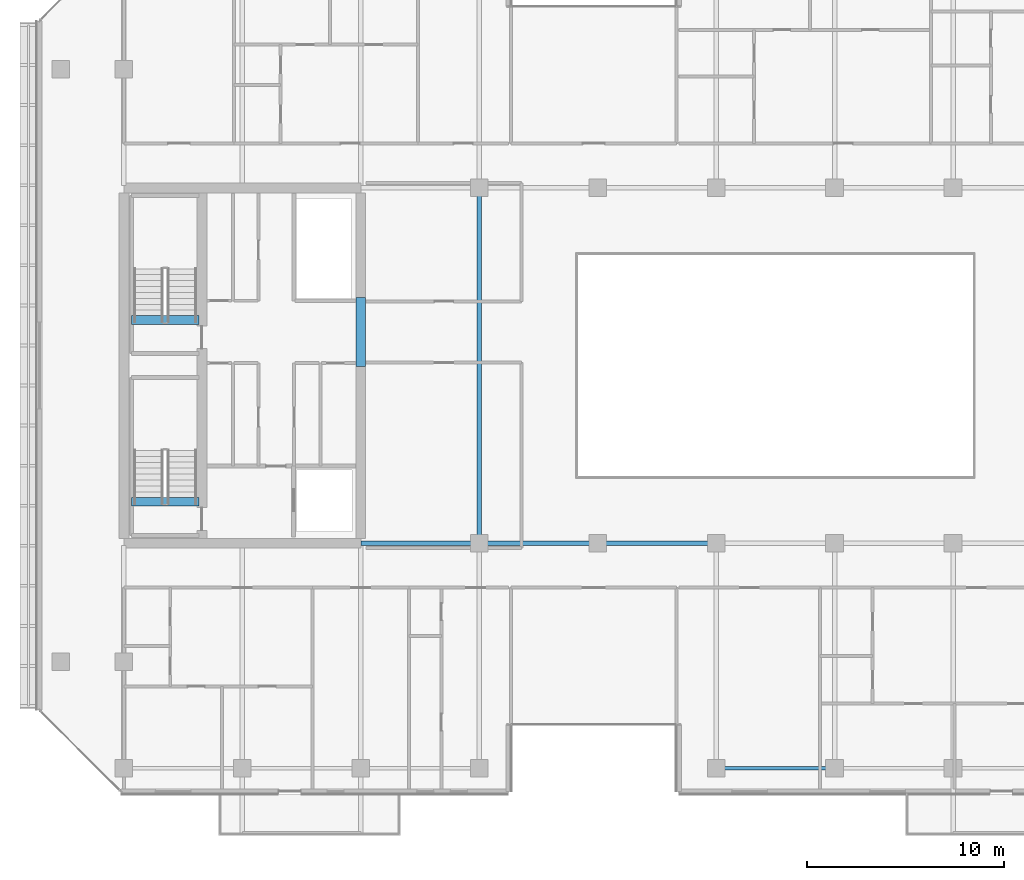
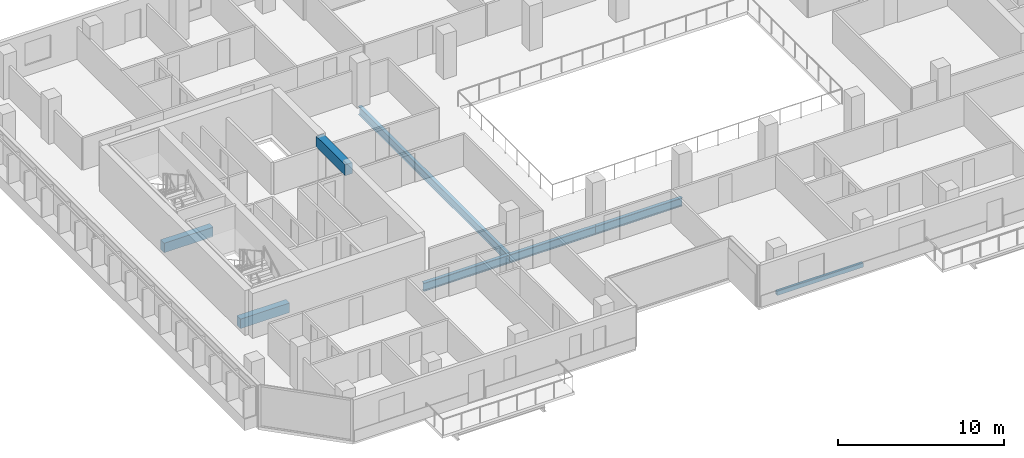
# One storey, part 5 of 29: 8 beams.
"""IFC4 building model written with IfcOpenShell, lengths in metres."""

from ifc_helpers import new_model, si_unit, direction, frame, origin, origin_2d, place, context, subcontext, project, spatial, rectangle, hollow_rectangle, i_section, extrude, material, material_profile, profile_set, type_object, element, save


model = new_model("IFC4")

# Units and contexts
model_context = context("Model", 3, precision=1e-05, world=origin(), true_north=direction((0.0, 1.0)))
body_context = subcontext(model_context, "Body", "Model", "MODEL_VIEW")
ifc_project = project(units=[si_unit("LENGTHUNIT", "METRE"), si_unit("AREAUNIT", "SQUARE_METRE"), si_unit("VOLUMEUNIT", "CUBIC_METRE"), si_unit("PLANEANGLEUNIT", "RADIAN"), si_unit("MASSUNIT", "GRAM", prefix="KILO")], contexts=[model_context])

# Site, building, storey
site_placement = place(None, origin())
site = spatial("IfcSite", under=ifc_project, at=site_placement, CompositionType="ELEMENT")
building_placement = place(site_placement, origin())
building = spatial("IfcBuilding", under=site, at=building_placement, Name="Tanjung Sevakor Pilgrim Tower", CompositionType="ELEMENT")
storey_placement = place(building_placement, frame((0.0, 0.0, 148.5)))
storey = spatial("IfcBuildingStorey", under=building, at=storey_placement, Name="L41", CompositionType="ELEMENT", Elevation=148.5)

# Beams
ifc_material_1 = material(Name="Steel S355J2", Category="steel")
ifc_material_profile_1 = material_profile(ifc_material_1, i_section(OverallWidth=0.230224609375, OverallDepth=0.6171875, WebThickness=0.01318359375, FlangeThickness=0.022216796875, FilletRadius=0.0126953125, at=origin_2d()))
ifc_profile_set_1 = profile_set([ifc_material_profile_1], Name="Steel S355J2")
beam_type_1 = type_object("IfcBeamType", Name="BM-B-G3-UB_610x229x140", PredefinedType="BEAM", material=ifc_profile_set_1)
for number, where, z_axis, x_axis, name in (
    (1, (36.0, 24.60009765625, -0.528564453125), (1.0, 0.0, 0.0), (0.0, 1.0, 0.0), "L41 Primary Floor Girder MAIN Y246-01"),
    (2, (42.0, 24.60009765625, -0.528564453125), (1.0, 0.0, 0.0), (0.0, 1.0, 0.0), "L41 Primary Floor Girder MAIN Y246-02"),
    (3, (48.0, 24.60009765625, -0.528564453125), (1.0, 0.0, 0.0), (0.0, 1.0, 0.0), "L41 Primary Floor Girder MAIN Y246-03"),
):
    element("IfcBeam", number, at=place(storey_placement, frame(where, z_axis=z_axis, x_axis=x_axis)), inside=storey, type_object=beam_type_1, Name=name, PredefinedType="BEAM", context=body_context, shape_type="SweptSolid", body=[
        extrude(i_section(OverallWidth=0.230224609375, OverallDepth=0.6171875, WebThickness=0.01318359375, FlangeThickness=0.022216796875, FilletRadius=0.0126953125, at=origin_2d()), origin(), (0.0, 0.0, 1.0), 6.0),
    ])
ifc_material_2 = material(Name="Steel S355J2", Category="steel")
ifc_material_profile_2 = material_profile(ifc_material_2, i_section(OverallWidth=0.22900390625, OverallDepth=0.6123046875, WebThickness=0.011962890625, FlangeThickness=0.01953125, FilletRadius=0.0126953125, at=origin_2d()))
ifc_profile_set_2 = profile_set([ifc_material_profile_2], Name="Steel S355J2")
beam_type_2 = type_object("IfcBeamType", Name="BM-B-G4-UB_610x229x125", PredefinedType="BEAM", material=ifc_profile_set_2)
beam_1_placement = place(storey_placement, frame((42.0, 24.60009765625, -0.526123046875), z_axis=(0.0, 1.0, 0.0), x_axis=(-1.0, 0.0, 0.0)))
element("IfcBeam", 4, at=beam_1_placement, inside=storey, type_object=beam_type_2, Name="L41 MAIN Girder 004", PredefinedType="BEAM", context=body_context, shape_type="SweptSolid", body=[
    extrude(i_section(OverallWidth=0.22900390625, OverallDepth=0.6123046875, WebThickness=0.011962890625, FlangeThickness=0.01953125, FilletRadius=0.0126953125, at=origin_2d()), origin(), (0.0, 0.0, 1.0), 18.0),
])
ifc_material_3 = material(Name="Concrete C60/75", Category="concrete")
ifc_material_profile_3 = material_profile(ifc_material_3, rectangle(XDim=0.5, YDim=0.800048828125, at=origin_2d()))
ifc_profile_set_3 = profile_set([ifc_material_profile_3], Name="Concrete C60/75")
beam_type_3 = type_object("IfcBeamType", Name="BM-B-LN2-RC-BM_500x800", PredefinedType="LINTEL", material=ifc_profile_set_3)
beam_2_placement = place(storey_placement, frame((36.0, 33.550048828125, 2.679931640625), z_axis=(0.0, 1.0, 0.0), x_axis=(-1.0, 0.0, 0.0)))
element("IfcBeam", 5, at=beam_2_placement, inside=storey, type_object=beam_type_3, Name="L41 W Core Coupling Lintel", PredefinedType="LINTEL", context=body_context, shape_type="SweptSolid", body=[
    extrude(rectangle(XDim=0.5, YDim=0.800048828125, at=origin_2d()), origin(), (0.0, 0.0, 1.0), 3.5),
])
ifc_material_4 = material(Name="Concrete C60/75", Category="concrete")
ifc_material_profile_4 = material_profile(ifc_material_4, rectangle(XDim=0.449951171875, YDim=0.699951171875, at=origin_2d()))
ifc_profile_set_4 = profile_set([ifc_material_profile_4], Name="Concrete C60/75")
beam_type_4 = type_object("IfcBeamType", Name="BM-B-LN3-RC-BM_450x700", PredefinedType="LINTEL", material=ifc_profile_set_4)
for number, where, z_axis, x_axis, name in (
    (6, (24.39990234375, 26.699951171875, -0.35009765625), (1.0, 0.0, 0.0), (0.0, 1.0, 0.0), "L41 TS-W1 Stair Threshold Beam"),
    (7, (24.39990234375, 35.89990234375, -0.35009765625), (1.0, 0.0, 0.0), (0.0, 1.0, 0.0), "L41 TS-W2 Stair Threshold Beam"),
):
    element("IfcBeam", number, at=place(storey_placement, frame(where, z_axis=z_axis, x_axis=x_axis)), inside=storey, type_object=beam_type_4, Name=name, PredefinedType="LINTEL", context=body_context, shape_type="SweptSolid", body=[
        extrude(rectangle(XDim=0.449951171875, YDim=0.699951171875, at=origin_2d()), origin(), (0.0, 0.0, 1.0), 3.400146484375),
    ])
ifc_material_5 = material(Name="Steel S355J2", Category="steel")
ifc_material_profile_5 = material_profile(ifc_material_5, hollow_rectangle(XDim=0.199951171875, YDim=0.300048828125, WallThickness=0.012451171875, at=origin_2d()))
ifc_profile_set_5 = profile_set([ifc_material_profile_5], Name="Steel S355J2")
beam_type_5 = type_object("IfcBeamType", Name="BM-B-SP3-RHS_300x200x12.5", PredefinedType="SPANDREL", material=ifc_profile_set_5)
beam_3_placement = place(storey_placement, frame((54.0, 13.199951171875, -0.3701171875), z_axis=(1.0, 0.0, 0.0), x_axis=(0.0, 1.0, 0.0)))
element("IfcBeam", 8, at=beam_3_placement, inside=storey, type_object=beam_type_5, Name="L41 Spandrel MAIN S-07", PredefinedType="SPANDREL", context=body_context, shape_type="SweptSolid", body=[
    extrude(hollow_rectangle(XDim=0.199951171875, YDim=0.300048828125, WallThickness=0.012451171875, at=origin_2d()), origin(), (0.0, 0.0, 1.0), 6.0),
])

save(model, "model.ifc")
